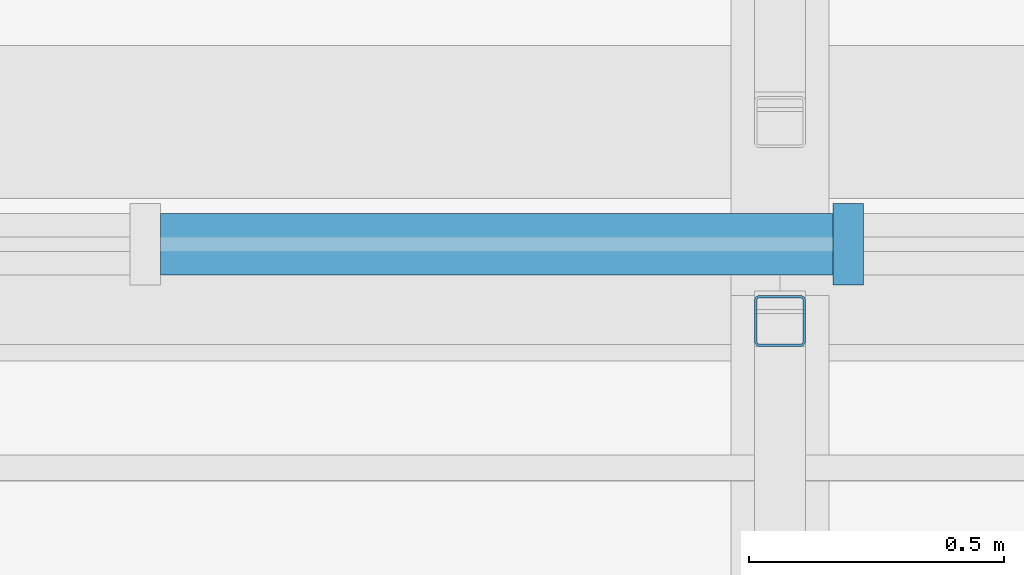
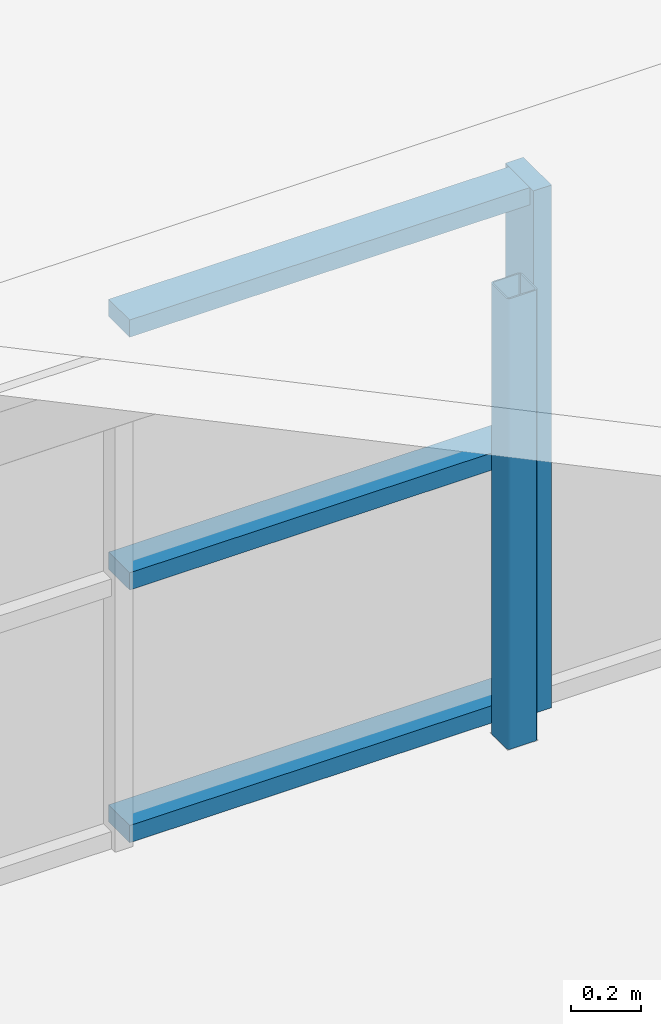
# One storey, part 4 of 33: 5 members, 1 element without a shape of its own.
"""IFC4 building model written with IfcOpenShell, lengths in metres."""

from ifc_helpers import new_model, si_unit, direction, frame, origin, origin_2d, place, context, subcontext, project, spatial, rectangle, hollow_rectangle, extrude, material, layer, layer_set, material_profile, profile_set, type_object, element, aggregate, save


model = new_model("IFC4")

# Units and contexts
model_context = context("Model", 3, precision=1e-05, world=origin(), true_north=direction((0.0, 1.0)))
body_context = subcontext(model_context, "Body", "Model", "MODEL_VIEW")
ifc_project = project(units=[si_unit("LENGTHUNIT", "METRE"), si_unit("AREAUNIT", "SQUARE_METRE"), si_unit("VOLUMEUNIT", "CUBIC_METRE"), si_unit("PLANEANGLEUNIT", "RADIAN"), si_unit("MASSUNIT", "GRAM", prefix="KILO")], contexts=[model_context])

# Site, building, storey
site_placement = place(None, origin())
site = spatial("IfcSite", under=ifc_project, at=site_placement, CompositionType="ELEMENT")
building_placement = place(site_placement, origin())
building = spatial("IfcBuilding", under=site, at=building_placement, Name="Ardhachandra Cancer Care Centre", CompositionType="ELEMENT")
storey_placement = place(building_placement, frame((0.0, 0.0, 27.0)))
storey = spatial("IfcBuildingStorey", under=building, at=storey_placement, Name="Roof", CompositionType="ELEMENT", Elevation=27.0)

# Curtain wall, members
ifc_material_1 = material(Name="Aluminium extrusion", Category="aluminium")
ifc_layer = layer(ifc_material_1, 0.14990234375)
ifc_layer_set = layer_set([ifc_layer], Name="Aluminium extrusion")
curtain_wall_type = type_object("IfcCurtainWallType", Name="Curtain wall run", PredefinedType="NOTDEFINED", material=ifc_layer_set)
curtain_wall_placement = place(storey_placement, origin())
curtain_wall = element("IfcCurtainWall", 1, at=curtain_wall_placement, inside=storey, type_object=curtain_wall_type, Name="Curtain wall Roof n/0112000_0088300", PredefinedType="NOTDEFINED")
ifc_material_2 = material(Name="Aluminium extrusion", Category="aluminium")
ifc_material_profile_1 = material_profile(ifc_material_2, rectangle(XDim=0.159912109375, YDim=0.06005859375, at=origin_2d()), Name="Curtain wall mullion 60 x 160")
ifc_profile_set_1 = profile_set([ifc_material_profile_1], Name="Aluminium extrusion")
member_type_1 = type_object("IfcMemberType", Name="Curtain wall mullion 60 x 160", PredefinedType="MULLION", material=ifc_profile_set_1)
member_1_placement = place(storey_placement, frame((128.533447265625, 88.300048828125, 0.0), z_axis=(0.0, 0.0, 1.0), x_axis=(0.0, 1.0, 0.0)))
member_1 = element("IfcMember", 2, at=member_1_placement, type_object=member_type_1, Name="CW mullion 13", PredefinedType="MULLION", context=body_context, shape_type="SweptSolid", body=[
    extrude(rectangle(XDim=0.159912109375, YDim=0.06005859375, at=origin_2d()), origin(), (0.0, 0.0, 1.0), 1.820068359375),
])
ifc_material_3 = material(Name="Aluminium extrusion", Category="aluminium")
ifc_material_profile_2 = material_profile(ifc_material_3, rectangle(XDim=0.1201171875, YDim=0.06005859375, at=origin_2d()), Name="Curtain wall transom 60 x 120")
ifc_profile_set_2 = profile_set([ifc_material_profile_2], Name="Aluminium extrusion")
member_type_2 = type_object("IfcMemberType", Name="Curtain wall transom 60 x 120", PredefinedType="USERDEFINED", material=ifc_profile_set_2)
member_2_placement = place(storey_placement, frame((127.185546875, 88.300048828125, 0.030029296875), z_axis=(1.0, 0.0, 0.0), x_axis=(0.0, 1.0, 0.0)))
member_2 = element("IfcMember", 3, at=member_2_placement, type_object=member_type_2, Name="CW transom 12.1", ObjectType="TRANSOM", PredefinedType="USERDEFINED", context=body_context, shape_type="SweptSolid", body=[
    extrude(rectangle(XDim=0.1201171875, YDim=0.06005859375, at=origin_2d()), origin(), (0.0, 0.0, 1.0), 1.31787109375),
])
member_3_placement = place(storey_placement, frame((127.185546875, 88.300048828125, 0.909912109375), z_axis=(1.0, 0.0, 0.0), x_axis=(0.0, 1.0, 0.0)))
member_3 = element("IfcMember", 4, at=member_3_placement, type_object=member_type_2, Name="CW transom 12.2", ObjectType="TRANSOM", PredefinedType="USERDEFINED", context=body_context, shape_type="SweptSolid", body=[
    extrude(rectangle(XDim=0.1201171875, YDim=0.06005859375, at=origin_2d()), origin(), (0.0, 0.0, 1.0), 1.31787109375),
])
member_4_placement = place(storey_placement, frame((127.185546875, 88.300048828125, 1.7900390625), z_axis=(1.0, 0.0, 0.0), x_axis=(0.0, 1.0, 0.0)))
member_4 = element("IfcMember", 5, at=member_4_placement, type_object=member_type_2, Name="CW transom 12.3", ObjectType="TRANSOM", PredefinedType="USERDEFINED", context=body_context, shape_type="SweptSolid", body=[
    extrude(rectangle(XDim=0.1201171875, YDim=0.06005859375, at=origin_2d()), origin(), (0.0, 0.0, 1.0), 1.31787109375),
])
aggregate(curtain_wall, [member_1, member_2, member_3, member_4])

# Member
ifc_material_4 = material(Name="Steel E350 (IS 2062)", Category="steel")
ifc_material_profile_3 = material_profile(ifc_material_4, hollow_rectangle(XDim=0.10009765625, YDim=0.10009765625, WallThickness=0.0048828125, InnerFilletRadius=0.0048828125, OuterFilletRadius=0.010009765625, at=origin_2d()), Name="SHS 100x100x5.0")
ifc_profile_set_3 = profile_set([ifc_material_profile_3], Name="Steel E350 (IS 2062)")
member_type_3 = type_object("IfcMemberType", Name="Sawtooth ridge post SHS 100x100x5.0", PredefinedType="POST", material=ifc_profile_set_3)
member_5_placement = place(storey_placement, frame((128.39990234375, 88.14990234375, 0.0), z_axis=(0.0, 0.0, 1.0), x_axis=(1.0, 0.0, 0.0)))
element("IfcMember", 6, at=member_5_placement, inside=storey, type_object=member_type_3, Name="Ridge post ST1a.3", PredefinedType="POST", context=body_context, shape_type="SweptSolid", body=[
    extrude(hollow_rectangle(XDim=0.10009765625, YDim=0.10009765625, WallThickness=0.0048828125, InnerFilletRadius=0.0048828125, OuterFilletRadius=0.010009765625, at=origin_2d()), origin(), (0.0, 0.0, 1.0), 1.569091796875),
])

save(model, "model.ifc")
